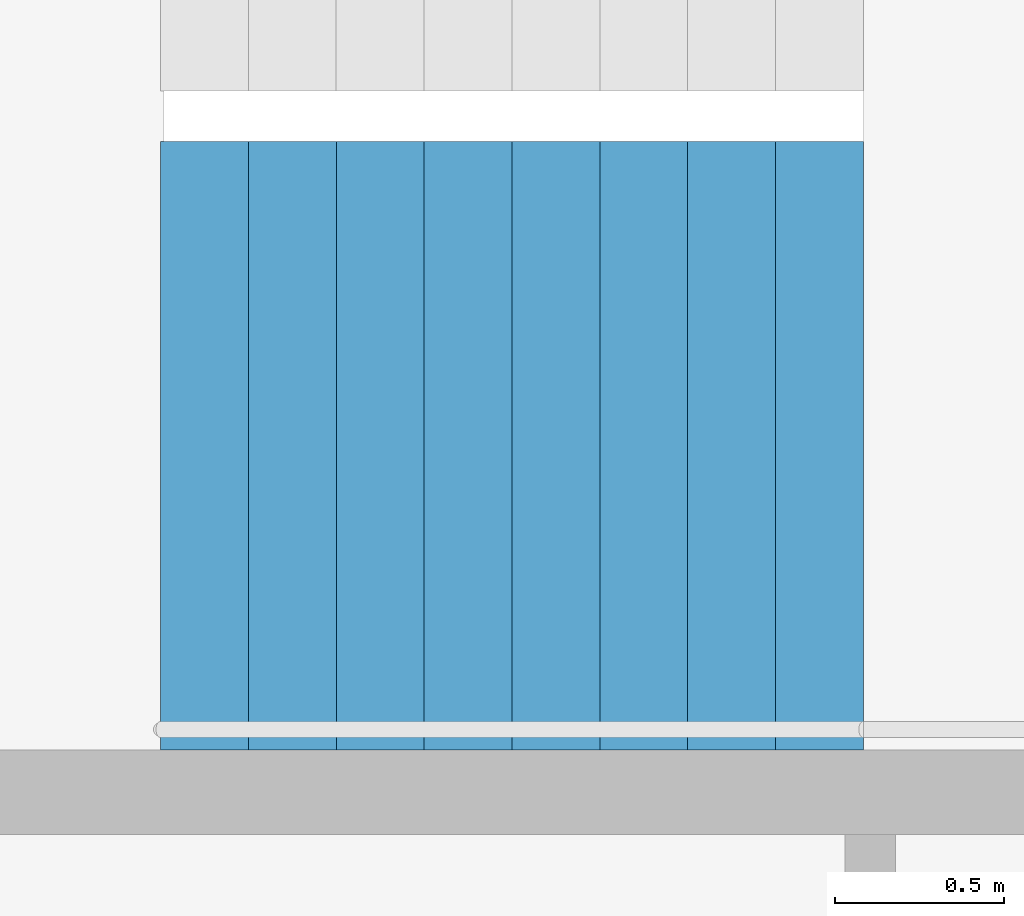
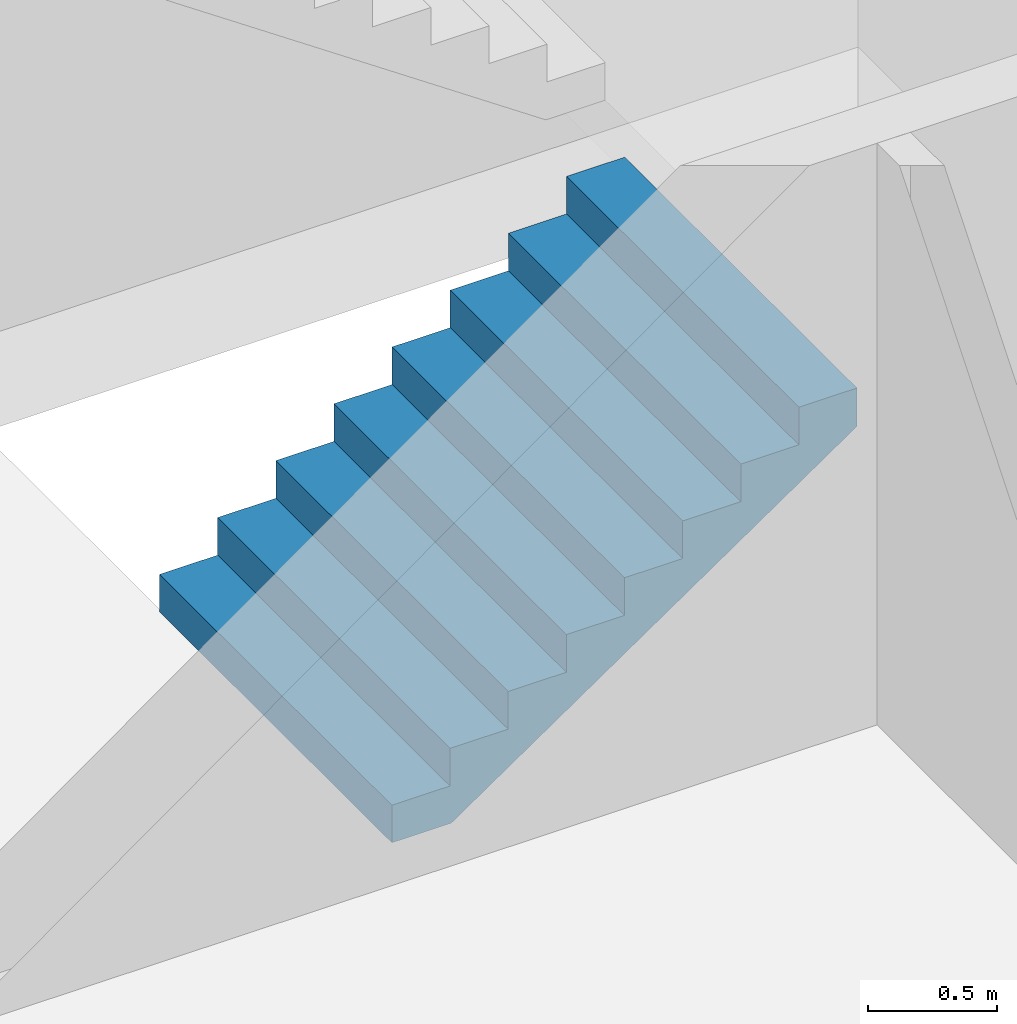
# One storey, part 20 of 26: 1 stair flight, 1 element without a shape of its own.
"""IFC4 building model written with IfcOpenShell, lengths in metres."""

from ifc_helpers import new_model, si_unit, direction, frame, origin, place, context, subcontext, project, spatial, triangles, material, type_object, element, aggregate, save


model = new_model("IFC4")

# Units and contexts
model_context = context("Model", 3, precision=1e-05, world=origin(), true_north=direction((0.0, 1.0)))
body_context = subcontext(model_context, "Body", "Model", "MODEL_VIEW")
ifc_project = project(units=[si_unit("LENGTHUNIT", "METRE"), si_unit("AREAUNIT", "SQUARE_METRE"), si_unit("VOLUMEUNIT", "CUBIC_METRE"), si_unit("PLANEANGLEUNIT", "RADIAN"), si_unit("MASSUNIT", "GRAM", prefix="KILO")], contexts=[model_context])

# Site, building, storey
site_placement = place(None, origin())
site = spatial("IfcSite", under=ifc_project, at=site_placement, CompositionType="ELEMENT")
building_placement = place(site_placement, origin())
building = spatial("IfcBuilding", under=site, at=building_placement, Name="Hakoniwa Tower and Hamabe Station Hall", CompositionType="ELEMENT")
storey_placement = place(building_placement, frame((0.0, 0.0, 153.39990234375)))
storey = spatial("IfcBuildingStorey", under=building, at=storey_placement, Name="L43", CompositionType="ELEMENT", Elevation=153.39990234375)

# Stair, stair flight
ifc_material_1 = material(Name="Concrete C40", Category="concrete")
stair_type = type_object("IfcStairType", Name="ESCAPE STAIR 1800", PredefinedType="HALF_TURN_STAIR", material=ifc_material_1)
stair_placement = place(storey_placement, origin())
stair = element("IfcStair", 1, at=stair_placement, inside=storey, type_object=stair_type, Name="Escape stair ST-1 L43", PredefinedType="HALF_TURN_STAIR")
ifc_material_2 = material(Name="Concrete C40", Category="concrete")
stair_flight_type = type_object("IfcStairFlightType", Name="STAIR FLIGHT 1800", PredefinedType="STRAIGHT", material=ifc_material_2)
stair_flight_placement = place(storey_placement, frame((-24.39990234375, 4.64990234375, 0.0), z_axis=(0.0, 0.0, 1.0), x_axis=(1.0, 0.0, 0.0)))
stair_flight = element("IfcStairFlight", 2, at=stair_flight_placement, type_object=stair_flight_type, Name="ST-1 flight 1", NumberOfRisers=9, NumberOfTreads=8, PredefinedType="STRAIGHT", RiserHeight=0.177777778, TreadLength=0.26, context=body_context, shape_type="Tessellation", body=[
    triangles([(0.0, 0.89990234375, 0.0), (0.260009765625, 0.89990234375, 0.0), (0.265625, 0.89990234375, 0.0), (0.52001953125, 0.89990234375, 0.174072265625), (0.780029296875, 0.89990234375, 0.351806640625), (1.0400390625, 0.89990234375, 0.529541015625), (1.300048828125, 0.89990234375, 0.707275390625), (1.56005859375, 0.89990234375, 0.885009765625), (1.820068359375, 0.89990234375, 1.062744140625), (2.080078125, 0.89990234375, 1.24072265625), (2.080078125, 0.89990234375, 1.422119140625), (1.820068359375, 0.89990234375, 1.422119140625), (1.820068359375, 0.89990234375, 1.244384765625), (1.56005859375, 0.89990234375, 1.244384765625), (1.56005859375, 0.89990234375, 1.066650390625), (1.300048828125, 0.89990234375, 1.066650390625), (1.300048828125, 0.89990234375, 0.888916015625), (1.0400390625, 0.89990234375, 0.888916015625), (1.0400390625, 0.89990234375, 0.711181640625), (0.780029296875, 0.89990234375, 0.711181640625), (0.780029296875, 0.89990234375, 0.533447265625), (0.52001953125, 0.89990234375, 0.533447265625), (0.52001953125, 0.89990234375, 0.35546875), (0.265625, 0.89990234375, 0.35546875), (0.260009765625, 0.89990234375, 0.35546875), (0.260009765625, 0.89990234375, 0.177734375), (0.0, 0.89990234375, 0.177734375), (0.0, 0.06005859375, 0.0), (0.260009765625, 0.06005859375, 0.0), (0.265625, 0.06005859375, 0.0), (0.52001953125, 0.06005859375, 0.174072265625), (0.780029296875, 0.06005859375, 0.351806640625), (1.0400390625, 0.06005859375, 0.529541015625), (1.300048828125, 0.06005859375, 0.707275390625), (1.56005859375, 0.06005859375, 0.885009765625), (1.820068359375, 0.06005859375, 1.062744140625), (2.080078125, 0.06005859375, 1.24072265625), (2.080078125, 0.06005859375, 1.422119140625), (1.820068359375, 0.06005859375, 1.422119140625), (1.820068359375, 0.06005859375, 1.244384765625), (1.56005859375, 0.06005859375, 1.244384765625), (1.56005859375, 0.06005859375, 1.066650390625), (1.300048828125, 0.06005859375, 1.066650390625), (1.300048828125, 0.06005859375, 0.888916015625), (1.0400390625, 0.06005859375, 0.888916015625), (1.0400390625, 0.06005859375, 0.711181640625), (0.780029296875, 0.06005859375, 0.711181640625), (0.780029296875, 0.06005859375, 0.533447265625), (0.52001953125, 0.06005859375, 0.533447265625), (0.52001953125, 0.06005859375, 0.35546875), (0.265625, 0.06005859375, 0.35546875), (0.260009765625, 0.06005859375, 0.35546875), (0.260009765625, 0.06005859375, 0.177734375), (0.0, 0.06005859375, 0.177734375), (0.0, 0.04296875, 0.0), (0.260009765625, 0.04296875, 0.0), (0.265625, 0.04296875, 0.0), (0.52001953125, 0.04296875, 0.174072265625), (0.780029296875, 0.04296875, 0.351806640625), (1.0400390625, 0.04296875, 0.529541015625), (1.300048828125, 0.04296875, 0.707275390625), (1.56005859375, 0.04296875, 0.885009765625), (1.820068359375, 0.04296875, 1.062744140625), (2.080078125, 0.04296875, 1.24072265625), (2.080078125, 0.04296875, 1.422119140625), (1.820068359375, 0.04296875, 1.422119140625), (1.820068359375, 0.04296875, 1.244384765625), (1.56005859375, 0.04296875, 1.244384765625), (1.56005859375, 0.04296875, 1.066650390625), (1.300048828125, 0.04296875, 1.066650390625), (1.300048828125, 0.04296875, 0.888916015625), (1.0400390625, 0.04296875, 0.888916015625), (1.0400390625, 0.04296875, 0.711181640625), (0.780029296875, 0.04296875, 0.711181640625), (0.780029296875, 0.04296875, 0.533447265625), (0.52001953125, 0.04296875, 0.533447265625), (0.52001953125, 0.04296875, 0.35546875), (0.265625, 0.04296875, 0.35546875), (0.260009765625, 0.04296875, 0.35546875), (0.260009765625, 0.04296875, 0.177734375), (0.0, 0.04296875, 0.177734375), (0.0, 0.025634765625, 0.0), (0.260009765625, 0.025634765625, 0.0), (0.265625, 0.025634765625, 0.0), (0.52001953125, 0.025634765625, 0.174072265625), (0.780029296875, 0.025634765625, 0.351806640625), (1.0400390625, 0.025634765625, 0.529541015625), (1.300048828125, 0.025634765625, 0.707275390625), (1.56005859375, 0.025634765625, 0.885009765625), (1.820068359375, 0.025634765625, 1.062744140625), (2.080078125, 0.025634765625, 1.24072265625), (2.080078125, 0.025634765625, 1.422119140625), (1.820068359375, 0.025634765625, 1.422119140625), (1.820068359375, 0.025634765625, 1.244384765625), (1.56005859375, 0.025634765625, 1.244384765625), (1.56005859375, 0.025634765625, 1.066650390625), (1.300048828125, 0.025634765625, 1.066650390625), (1.300048828125, 0.025634765625, 0.888916015625), (1.0400390625, 0.025634765625, 0.888916015625), (1.0400390625, 0.025634765625, 0.711181640625), (0.780029296875, 0.025634765625, 0.711181640625), (0.780029296875, 0.025634765625, 0.533447265625), (0.52001953125, 0.025634765625, 0.533447265625), (0.52001953125, 0.025634765625, 0.35546875), (0.265625, 0.025634765625, 0.35546875), (0.260009765625, 0.025634765625, 0.35546875), (0.260009765625, 0.025634765625, 0.177734375), (0.0, 0.025634765625, 0.177734375), (0.0, 0.008544921875, 0.0), (0.260009765625, 0.008544921875, 0.0), (0.265625, 0.008544921875, 0.0), (0.52001953125, 0.008544921875, 0.174072265625), (0.780029296875, 0.008544921875, 0.351806640625), (1.0400390625, 0.008544921875, 0.529541015625), (1.300048828125, 0.008544921875, 0.707275390625), (1.56005859375, 0.008544921875, 0.885009765625), (1.820068359375, 0.008544921875, 1.062744140625), (2.080078125, 0.008544921875, 1.24072265625), (2.080078125, 0.008544921875, 1.422119140625), (1.820068359375, 0.008544921875, 1.422119140625), (1.820068359375, 0.008544921875, 1.244384765625), (1.56005859375, 0.008544921875, 1.244384765625), (1.56005859375, 0.008544921875, 1.066650390625), (1.300048828125, 0.008544921875, 1.066650390625), (1.300048828125, 0.008544921875, 0.888916015625), (1.0400390625, 0.008544921875, 0.888916015625), (1.0400390625, 0.008544921875, 0.711181640625), (0.780029296875, 0.008544921875, 0.711181640625), (0.780029296875, 0.008544921875, 0.533447265625), (0.52001953125, 0.008544921875, 0.533447265625), (0.52001953125, 0.008544921875, 0.35546875), (0.265625, 0.008544921875, 0.35546875), (0.260009765625, 0.008544921875, 0.35546875), (0.260009765625, 0.008544921875, 0.177734375), (0.0, 0.008544921875, 0.177734375), (0.0, -0.008544921875, 0.0), (0.260009765625, -0.008544921875, 0.0), (0.265625, -0.008544921875, 0.0), (0.52001953125, -0.008544921875, 0.174072265625), (0.780029296875, -0.008544921875, 0.351806640625), (1.0400390625, -0.008544921875, 0.529541015625), (1.300048828125, -0.008544921875, 0.707275390625), (1.56005859375, -0.008544921875, 0.885009765625), (1.820068359375, -0.008544921875, 1.062744140625), (2.080078125, -0.008544921875, 1.24072265625), (2.080078125, -0.008544921875, 1.422119140625), (1.820068359375, -0.008544921875, 1.422119140625), (1.820068359375, -0.008544921875, 1.244384765625), (1.56005859375, -0.008544921875, 1.244384765625), (1.56005859375, -0.008544921875, 1.066650390625), (1.300048828125, -0.008544921875, 1.066650390625), (1.300048828125, -0.008544921875, 0.888916015625), (1.0400390625, -0.008544921875, 0.888916015625), (1.0400390625, -0.008544921875, 0.711181640625), (0.780029296875, -0.008544921875, 0.711181640625), (0.780029296875, -0.008544921875, 0.533447265625), (0.52001953125, -0.008544921875, 0.533447265625), (0.52001953125, -0.008544921875, 0.35546875), (0.265625, -0.008544921875, 0.35546875), (0.260009765625, -0.008544921875, 0.35546875), (0.260009765625, -0.008544921875, 0.177734375), (0.0, -0.008544921875, 0.177734375), (0.0, -0.025634765625, 0.0), (0.260009765625, -0.025634765625, 0.0), (0.265625, -0.025634765625, 0.0), (0.52001953125, -0.025634765625, 0.174072265625), (0.780029296875, -0.025634765625, 0.351806640625), (1.0400390625, -0.025634765625, 0.529541015625), (1.300048828125, -0.025634765625, 0.707275390625), (1.56005859375, -0.025634765625, 0.885009765625), (1.820068359375, -0.025634765625, 1.062744140625), (2.080078125, -0.025634765625, 1.24072265625), (2.080078125, -0.025634765625, 1.422119140625), (1.820068359375, -0.025634765625, 1.422119140625), (1.820068359375, -0.025634765625, 1.244384765625), (1.56005859375, -0.025634765625, 1.244384765625), (1.56005859375, -0.025634765625, 1.066650390625), (1.300048828125, -0.025634765625, 1.066650390625), (1.300048828125, -0.025634765625, 0.888916015625), (1.0400390625, -0.025634765625, 0.888916015625), (1.0400390625, -0.025634765625, 0.711181640625), (0.780029296875, -0.025634765625, 0.711181640625), (0.780029296875, -0.025634765625, 0.533447265625), (0.52001953125, -0.025634765625, 0.533447265625), (0.52001953125, -0.025634765625, 0.35546875), (0.265625, -0.025634765625, 0.35546875), (0.260009765625, -0.025634765625, 0.35546875), (0.260009765625, -0.025634765625, 0.177734375), (0.0, -0.025634765625, 0.177734375), (0.0, -0.04296875, 0.0), (0.260009765625, -0.04296875, 0.0), (0.265625, -0.04296875, 0.0), (0.52001953125, -0.04296875, 0.174072265625), (0.780029296875, -0.04296875, 0.351806640625), (1.0400390625, -0.04296875, 0.529541015625), (1.300048828125, -0.04296875, 0.707275390625), (1.56005859375, -0.04296875, 0.885009765625), (1.820068359375, -0.04296875, 1.062744140625), (2.080078125, -0.04296875, 1.24072265625), (2.080078125, -0.04296875, 1.422119140625), (1.820068359375, -0.04296875, 1.422119140625), (1.820068359375, -0.04296875, 1.244384765625), (1.56005859375, -0.04296875, 1.244384765625), (1.56005859375, -0.04296875, 1.066650390625), (1.300048828125, -0.04296875, 1.066650390625), (1.300048828125, -0.04296875, 0.888916015625), (1.0400390625, -0.04296875, 0.888916015625), (1.0400390625, -0.04296875, 0.711181640625), (0.780029296875, -0.04296875, 0.711181640625), (0.780029296875, -0.04296875, 0.533447265625), (0.52001953125, -0.04296875, 0.533447265625), (0.52001953125, -0.04296875, 0.35546875), (0.265625, -0.04296875, 0.35546875), (0.260009765625, -0.04296875, 0.35546875), (0.260009765625, -0.04296875, 0.177734375), (0.0, -0.04296875, 0.177734375), (0.0, -0.06005859375, 0.0), (0.260009765625, -0.06005859375, 0.0), (0.265625, -0.06005859375, 0.0), (0.52001953125, -0.06005859375, 0.174072265625), (0.780029296875, -0.06005859375, 0.351806640625), (1.0400390625, -0.06005859375, 0.529541015625), (1.300048828125, -0.06005859375, 0.707275390625), (1.56005859375, -0.06005859375, 0.885009765625), (1.820068359375, -0.06005859375, 1.062744140625), (2.080078125, -0.06005859375, 1.24072265625), (2.080078125, -0.06005859375, 1.422119140625), (1.820068359375, -0.06005859375, 1.422119140625), (1.820068359375, -0.06005859375, 1.244384765625), (1.56005859375, -0.06005859375, 1.244384765625), (1.56005859375, -0.06005859375, 1.066650390625), (1.300048828125, -0.06005859375, 1.066650390625), (1.300048828125, -0.06005859375, 0.888916015625), (1.0400390625, -0.06005859375, 0.888916015625), (1.0400390625, -0.06005859375, 0.711181640625), (0.780029296875, -0.06005859375, 0.711181640625), (0.780029296875, -0.06005859375, 0.533447265625), (0.52001953125, -0.06005859375, 0.533447265625), (0.52001953125, -0.06005859375, 0.35546875), (0.265625, -0.06005859375, 0.35546875), (0.260009765625, -0.06005859375, 0.35546875), (0.260009765625, -0.06005859375, 0.177734375), (0.0, -0.06005859375, 0.177734375), (0.0, -0.89990234375, 0.0), (0.260009765625, -0.89990234375, 0.0), (0.265625, -0.89990234375, 0.0), (0.52001953125, -0.89990234375, 0.174072265625), (0.780029296875, -0.89990234375, 0.351806640625), (1.0400390625, -0.89990234375, 0.529541015625), (1.300048828125, -0.89990234375, 0.707275390625), (1.56005859375, -0.89990234375, 0.885009765625), (1.820068359375, -0.89990234375, 1.062744140625), (2.080078125, -0.89990234375, 1.24072265625), (2.080078125, -0.89990234375, 1.422119140625), (1.820068359375, -0.89990234375, 1.422119140625), (1.820068359375, -0.89990234375, 1.244384765625), (1.56005859375, -0.89990234375, 1.244384765625), (1.56005859375, -0.89990234375, 1.066650390625), (1.300048828125, -0.89990234375, 1.066650390625), (1.300048828125, -0.89990234375, 0.888916015625), (1.0400390625, -0.89990234375, 0.888916015625), (1.0400390625, -0.89990234375, 0.711181640625), (0.780029296875, -0.89990234375, 0.711181640625), (0.780029296875, -0.89990234375, 0.533447265625), (0.52001953125, -0.89990234375, 0.533447265625), (0.52001953125, -0.89990234375, 0.35546875), (0.265625, -0.89990234375, 0.35546875), (0.260009765625, -0.89990234375, 0.35546875), (0.260009765625, -0.89990234375, 0.177734375), (0.0, -0.89990234375, 0.177734375)], [[2, 27, 26], [245, 269, 270], [2, 1, 27], [245, 270, 244], [3, 25, 24], [246, 267, 268], [3, 26, 25], [246, 268, 269], [3, 2, 26], [246, 269, 245], [4, 24, 23], [247, 266, 267], [4, 3, 24], [247, 267, 246], [5, 22, 21], [248, 264, 265], [5, 23, 22], [248, 265, 266], [5, 4, 23], [248, 266, 247], [6, 20, 19], [249, 262, 263], [6, 21, 20], [249, 263, 264], [6, 5, 21], [249, 264, 248], [7, 18, 17], [250, 260, 261], [7, 19, 18], [250, 261, 262], [7, 6, 19], [250, 262, 249], [8, 16, 15], [251, 258, 259], [8, 17, 16], [251, 259, 260], [8, 7, 17], [251, 260, 250], [9, 14, 13], [252, 256, 257], [9, 15, 14], [252, 257, 258], [9, 8, 15], [252, 258, 251], [10, 12, 11], [253, 254, 255], [10, 13, 12], [253, 255, 256], [10, 9, 13], [253, 256, 252], [1, 2, 29], [1, 29, 28], [28, 29, 56], [28, 56, 55], [55, 56, 83], [55, 83, 82], [82, 83, 110], [82, 110, 109], [109, 110, 137], [109, 137, 136], [136, 137, 164], [136, 164, 163], [163, 164, 191], [163, 191, 190], [190, 191, 218], [190, 218, 217], [217, 218, 245], [217, 245, 244], [2, 3, 30], [2, 30, 29], [29, 30, 57], [29, 57, 56], [56, 57, 84], [56, 84, 83], [83, 84, 111], [83, 111, 110], [110, 111, 138], [110, 138, 137], [137, 138, 165], [137, 165, 164], [164, 165, 192], [164, 192, 191], [191, 192, 219], [191, 219, 218], [218, 219, 246], [218, 246, 245], [3, 4, 31], [3, 31, 30], [30, 31, 58], [30, 58, 57], [57, 58, 85], [57, 85, 84], [84, 85, 112], [84, 112, 111], [111, 112, 139], [111, 139, 138], [138, 139, 166], [138, 166, 165], [165, 166, 193], [165, 193, 192], [192, 193, 220], [192, 220, 219], [219, 220, 247], [219, 247, 246], [4, 5, 32], [4, 32, 31], [31, 32, 59], [31, 59, 58], [58, 59, 86], [58, 86, 85], [85, 86, 113], [85, 113, 112], [112, 113, 140], [112, 140, 139], [139, 140, 167], [139, 167, 166], [166, 167, 194], [166, 194, 193], [193, 194, 221], [193, 221, 220], [220, 221, 248], [220, 248, 247], [5, 6, 33], [5, 33, 32], [32, 33, 60], [32, 60, 59], [59, 60, 87], [59, 87, 86], [86, 87, 114], [86, 114, 113], [113, 114, 141], [113, 141, 140], [140, 141, 168], [140, 168, 167], [167, 168, 195], [167, 195, 194], [194, 195, 222], [194, 222, 221], [221, 222, 249], [221, 249, 248], [6, 7, 34], [6, 34, 33], [33, 34, 61], [33, 61, 60], [60, 61, 88], [60, 88, 87], [87, 88, 115], [87, 115, 114], [114, 115, 142], [114, 142, 141], [141, 142, 169], [141, 169, 168], [168, 169, 196], [168, 196, 195], [195, 196, 223], [195, 223, 222], [222, 223, 250], [222, 250, 249], [7, 8, 35], [7, 35, 34], [34, 35, 62], [34, 62, 61], [61, 62, 89], [61, 89, 88], [88, 89, 116], [88, 116, 115], [115, 116, 143], [115, 143, 142], [142, 143, 170], [142, 170, 169], [169, 170, 197], [169, 197, 196], [196, 197, 224], [196, 224, 223], [223, 224, 251], [223, 251, 250], [8, 9, 36], [8, 36, 35], [35, 36, 63], [35, 63, 62], [62, 63, 90], [62, 90, 89], [89, 90, 117], [89, 117, 116], [116, 117, 144], [116, 144, 143], [143, 144, 171], [143, 171, 170], [170, 171, 198], [170, 198, 197], [197, 198, 225], [197, 225, 224], [224, 225, 252], [224, 252, 251], [9, 10, 37], [9, 37, 36], [36, 37, 64], [36, 64, 63], [63, 64, 91], [63, 91, 90], [90, 91, 118], [90, 118, 117], [117, 118, 145], [117, 145, 144], [144, 145, 172], [144, 172, 171], [171, 172, 199], [171, 199, 198], [198, 199, 226], [198, 226, 225], [225, 226, 253], [225, 253, 252], [10, 11, 38], [10, 38, 37], [37, 38, 65], [37, 65, 64], [64, 65, 92], [64, 92, 91], [91, 92, 119], [91, 119, 118], [118, 119, 146], [118, 146, 145], [145, 146, 173], [145, 173, 172], [172, 173, 200], [172, 200, 199], [199, 200, 227], [199, 227, 226], [226, 227, 254], [226, 254, 253], [11, 12, 39], [11, 39, 38], [38, 39, 66], [38, 66, 65], [65, 66, 93], [65, 93, 92], [92, 93, 120], [92, 120, 119], [119, 120, 147], [119, 147, 146], [146, 147, 174], [146, 174, 173], [173, 174, 201], [173, 201, 200], [200, 201, 228], [200, 228, 227], [227, 228, 255], [227, 255, 254], [12, 13, 40], [12, 40, 39], [39, 40, 67], [39, 67, 66], [66, 67, 94], [66, 94, 93], [93, 94, 121], [93, 121, 120], [120, 121, 148], [120, 148, 147], [147, 148, 175], [147, 175, 174], [174, 175, 202], [174, 202, 201], [201, 202, 229], [201, 229, 228], [228, 229, 256], [228, 256, 255], [13, 14, 41], [13, 41, 40], [40, 41, 68], [40, 68, 67], [67, 68, 95], [67, 95, 94], [94, 95, 122], [94, 122, 121], [121, 122, 149], [121, 149, 148], [148, 149, 176], [148, 176, 175], [175, 176, 203], [175, 203, 202], [202, 203, 230], [202, 230, 229], [229, 230, 257], [229, 257, 256], [14, 15, 42], [14, 42, 41], [41, 42, 69], [41, 69, 68], [68, 69, 96], [68, 96, 95], [95, 96, 123], [95, 123, 122], [122, 123, 150], [122, 150, 149], [149, 150, 177], [149, 177, 176], [176, 177, 204], [176, 204, 203], [203, 204, 231], [203, 231, 230], [230, 231, 258], [230, 258, 257], [15, 16, 43], [15, 43, 42], [42, 43, 70], [42, 70, 69], [69, 70, 97], [69, 97, 96], [96, 97, 124], [96, 124, 123], [123, 124, 151], [123, 151, 150], [150, 151, 178], [150, 178, 177], [177, 178, 205], [177, 205, 204], [204, 205, 232], [204, 232, 231], [231, 232, 259], [231, 259, 258], [16, 17, 44], [16, 44, 43], [43, 44, 71], [43, 71, 70], [70, 71, 98], [70, 98, 97], [97, 98, 125], [97, 125, 124], [124, 125, 152], [124, 152, 151], [151, 152, 179], [151, 179, 178], [178, 179, 206], [178, 206, 205], [205, 206, 233], [205, 233, 232], [232, 233, 260], [232, 260, 259], [17, 18, 45], [17, 45, 44], [44, 45, 72], [44, 72, 71], [71, 72, 99], [71, 99, 98], [98, 99, 126], [98, 126, 125], [125, 126, 153], [125, 153, 152], [152, 153, 180], [152, 180, 179], [179, 180, 207], [179, 207, 206], [206, 207, 234], [206, 234, 233], [233, 234, 261], [233, 261, 260], [18, 19, 46], [18, 46, 45], [45, 46, 73], [45, 73, 72], [72, 73, 100], [72, 100, 99], [99, 100, 127], [99, 127, 126], [126, 127, 154], [126, 154, 153], [153, 154, 181], [153, 181, 180], [180, 181, 208], [180, 208, 207], [207, 208, 235], [207, 235, 234], [234, 235, 262], [234, 262, 261], [19, 20, 47], [19, 47, 46], [46, 47, 74], [46, 74, 73], [73, 74, 101], [73, 101, 100], [100, 101, 128], [100, 128, 127], [127, 128, 155], [127, 155, 154], [154, 155, 182], [154, 182, 181], [181, 182, 209], [181, 209, 208], [208, 209, 236], [208, 236, 235], [235, 236, 263], [235, 263, 262], [20, 21, 48], [20, 48, 47], [47, 48, 75], [47, 75, 74], [74, 75, 102], [74, 102, 101], [101, 102, 129], [101, 129, 128], [128, 129, 156], [128, 156, 155], [155, 156, 183], [155, 183, 182], [182, 183, 210], [182, 210, 209], [209, 210, 237], [209, 237, 236], [236, 237, 264], [236, 264, 263], [21, 22, 49], [21, 49, 48], [48, 49, 76], [48, 76, 75], [75, 76, 103], [75, 103, 102], [102, 103, 130], [102, 130, 129], [129, 130, 157], [129, 157, 156], [156, 157, 184], [156, 184, 183], [183, 184, 211], [183, 211, 210], [210, 211, 238], [210, 238, 237], [237, 238, 265], [237, 265, 264], [22, 23, 50], [22, 50, 49], [49, 50, 77], [49, 77, 76], [76, 77, 104], [76, 104, 103], [103, 104, 131], [103, 131, 130], [130, 131, 158], [130, 158, 157], [157, 158, 185], [157, 185, 184], [184, 185, 212], [184, 212, 211], [211, 212, 239], [211, 239, 238], [238, 239, 266], [238, 266, 265], [23, 24, 51], [23, 51, 50], [50, 51, 78], [50, 78, 77], [77, 78, 105], [77, 105, 104], [104, 105, 132], [104, 132, 131], [131, 132, 159], [131, 159, 158], [158, 159, 186], [158, 186, 185], [185, 186, 213], [185, 213, 212], [212, 213, 240], [212, 240, 239], [239, 240, 267], [239, 267, 266], [24, 25, 52], [24, 52, 51], [51, 52, 79], [51, 79, 78], [78, 79, 106], [78, 106, 105], [105, 106, 133], [105, 133, 132], [132, 133, 160], [132, 160, 159], [159, 160, 187], [159, 187, 186], [186, 187, 214], [186, 214, 213], [213, 214, 241], [213, 241, 240], [240, 241, 268], [240, 268, 267], [25, 26, 53], [25, 53, 52], [52, 53, 80], [52, 80, 79], [79, 80, 107], [79, 107, 106], [106, 107, 134], [106, 134, 133], [133, 134, 161], [133, 161, 160], [160, 161, 188], [160, 188, 187], [187, 188, 215], [187, 215, 214], [214, 215, 242], [214, 242, 241], [241, 242, 269], [241, 269, 268], [26, 27, 54], [26, 54, 53], [53, 54, 81], [53, 81, 80], [80, 81, 108], [80, 108, 107], [107, 108, 135], [107, 135, 134], [134, 135, 162], [134, 162, 161], [161, 162, 189], [161, 189, 188], [188, 189, 216], [188, 216, 215], [215, 216, 243], [215, 243, 242], [242, 243, 270], [242, 270, 269], [27, 1, 28], [27, 28, 54], [54, 28, 55], [54, 55, 81], [81, 55, 82], [81, 82, 108], [108, 82, 109], [108, 109, 135], [135, 109, 136], [135, 136, 162], [162, 136, 163], [162, 163, 189], [189, 163, 190], [189, 190, 216], [216, 190, 217], [216, 217, 243], [243, 217, 244], [243, 244, 270]], closed=True),
])
aggregate(stair, [stair_flight])

save(model, "model.ifc")
